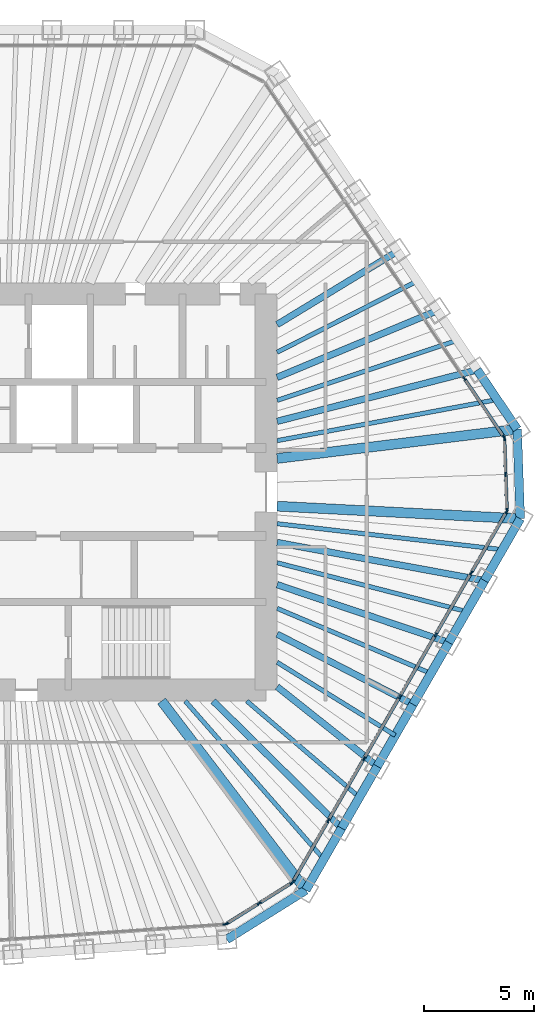
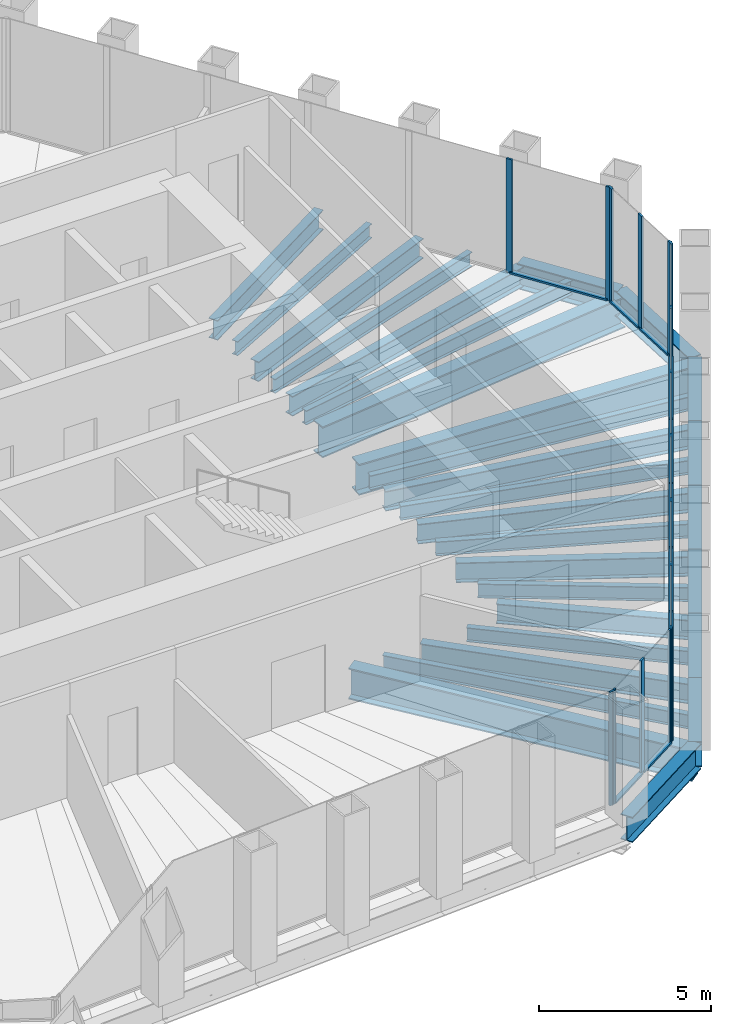
# One storey, part 5 of 14: 29 beams, 27 members, 5 elements without a shape of their own.
"""IFC4 building model written with IfcOpenShell, lengths in metres."""

from ifc_helpers import new_model, si_unit, direction, frame, origin, origin_2d, place, context, subcontext, project, spatial, rectangle, i_section, extrude, material, material_profile, profile_set, type_object, element, aggregate, save


model = new_model("IFC4")

# Units and contexts
model_context = context("Model", 3, precision=1e-05, world=origin(), true_north=direction((0.0, 1.0)))
body_context = subcontext(model_context, "Body", "Model", "MODEL_VIEW")
ifc_project = project(units=[si_unit("LENGTHUNIT", "METRE"), si_unit("AREAUNIT", "SQUARE_METRE"), si_unit("VOLUMEUNIT", "CUBIC_METRE"), si_unit("PLANEANGLEUNIT", "RADIAN"), si_unit("MASSUNIT", "GRAM", prefix="KILO")], contexts=[model_context])

# Site, building, storey
site_placement = place(None, origin())
site = spatial("IfcSite", under=ifc_project, at=site_placement, CompositionType="ELEMENT")
building_placement = place(site_placement, origin())
building = spatial("IfcBuilding", under=site, at=building_placement, Name="Qingtian Harvest Tower", CompositionType="ELEMENT")
storey_placement = place(building_placement, frame((0.0, 0.0, 295.60009765625)))
storey = spatial("IfcBuildingStorey", under=building, at=storey_placement, Name="L65", CompositionType="ELEMENT", Elevation=295.60009765625)

# Beams
ifc_material_1 = material(Name="Steel SM570MC", Category="steel")
ifc_material_profile_1 = material_profile(ifc_material_1, i_section(OverallWidth=0.449951171875, OverallDepth=1.10009765625, WebThickness=0.02197265625, FlangeThickness=0.044921875, at=origin_2d()), Name="H1100x450x22x45")
ifc_profile_set_1 = profile_set([ifc_material_profile_1], Name="Steel SM570MC")
beam_type_1 = type_object("IfcBeamType", Name="Corner floor beam FB8 H1100x450x22x45", PredefinedType="BEAM", material=ifc_profile_set_1)
beam_1_placement = place(storey_placement, frame((23.405517578125, 2.85400390625, -0.72021484375), z_axis=(-0.99264704984, -0.12104476215, 0.0), x_axis=(0.12104476215, -0.99264704984, 0.0)))
element("IfcBeam", 1, at=beam_1_placement, inside=storey, type_object=beam_type_1, Name="Floor beam FB8 NE6", PredefinedType="BEAM", context=body_context, shape_type="SweptSolid", body=[
    extrude(i_section(OverallWidth=0.449951171875, OverallDepth=1.10009765625, WebThickness=0.02197265625, FlangeThickness=0.044921875, at=origin_2d()), origin(), (0.0, 0.0, 1.0), 10.986328125),
])
beam_2_placement = place(storey_placement, frame((23.547607421875, -1.21435546875, -0.72021484375), z_axis=(-0.998672453152, 0.051510497131, 0.0), x_axis=(-0.051510497131, -0.998672453152, 0.0)))
element("IfcBeam", 2, at=beam_2_placement, inside=storey, type_object=beam_type_1, Name="Floor beam FB8 SE0", PredefinedType="BEAM", context=body_context, shape_type="SweptSolid", body=[
    extrude(i_section(OverallWidth=0.449951171875, OverallDepth=1.10009765625, WebThickness=0.02197265625, FlangeThickness=0.044921875, at=origin_2d()), origin(), (0.0, 0.0, 1.0), 11.062255859375),
])
beam_3_placement = place(storey_placement, frame((13.803466796875, -18.091552734375, -0.72021484375), z_axis=(-0.60658352266, 0.795019767073, 0.0), x_axis=(-0.795019767073, -0.60658352266, 0.0)))
element("IfcBeam", 3, at=beam_3_placement, inside=storey, type_object=beam_type_1, Name="Floor beam FB8 SE6", PredefinedType="BEAM", context=body_context, shape_type="SweptSolid", body=[
    extrude(i_section(OverallWidth=0.449951171875, OverallDepth=1.10009765625, WebThickness=0.02197265625, FlangeThickness=0.044921875, at=origin_2d()), origin(), (0.0, 0.0, 1.0), 10.806640625),
])
ifc_material_2 = material(Name="Steel SN490B", Category="steel")
ifc_material_profile_2 = material_profile(ifc_material_2, i_section(OverallWidth=0.300048828125, OverallDepth=0.699951171875, WebThickness=0.012939453125, FlangeThickness=0.02392578125, at=origin_2d()), Name="H700x300x13x24")
ifc_profile_set_2 = profile_set([ifc_material_profile_2], Name="Steel SN490B")
beam_type_2 = type_object("IfcBeamType", Name="Floor beam FB4 H700x300x13x24", PredefinedType="BEAM", material=ifc_profile_set_2)
beam_4_placement = place(storey_placement, frame((17.956787109375, 10.93212890625, -0.52001953125), z_axis=(-0.854163869478, -0.520003926983, 0.0), x_axis=(0.520003926983, -0.854163869478, 0.0)))
element("IfcBeam", 4, at=beam_4_placement, inside=storey, type_object=beam_type_2, Name="Floor beam FB4 NE3", PredefinedType="BEAM", context=body_context, shape_type="SweptSolid", body=[
    extrude(i_section(OverallWidth=0.300048828125, OverallDepth=0.699951171875, WebThickness=0.012939453125, FlangeThickness=0.02392578125, at=origin_2d()), origin(), (0.0, 0.0, 1.0), 6.388427734375),
])
beam_5_placement = place(storey_placement, frame((19.77294921875, 8.2392578125, -0.52001953125), z_axis=(-0.923071422518, -0.38462858569, 0.0), x_axis=(0.38462858569, -0.923071422518, 0.0)))
element("IfcBeam", 5, at=beam_5_placement, inside=storey, type_object=beam_type_2, Name="Floor beam FB4 NE4", PredefinedType="BEAM", context=body_context, shape_type="SweptSolid", body=[
    extrude(i_section(OverallWidth=0.300048828125, OverallDepth=0.699951171875, WebThickness=0.012939453125, FlangeThickness=0.02392578125, at=origin_2d()), origin(), (0.0, 0.0, 1.0), 7.879150390625),
])
beam_6_placement = place(storey_placement, frame((21.58935546875, 5.546630859375, -0.52001953125), z_axis=(-0.968545797703, -0.248835362746, 0.0), x_axis=(0.248835362746, -0.968545797703, 0.0)))
element("IfcBeam", 6, at=beam_6_placement, inside=storey, type_object=beam_type_2, Name="Floor beam FB4 NE5", PredefinedType="BEAM", context=body_context, shape_type="SweptSolid", body=[
    extrude(i_section(OverallWidth=0.300048828125, OverallDepth=0.699951171875, WebThickness=0.012939453125, FlangeThickness=0.02392578125, at=origin_2d()), origin(), (0.0, 0.0, 1.0), 9.384521484375),
])
beam_7_placement = place(storey_placement, frame((21.923583984375, -4.027099609375, -0.52001953125), z_axis=(-0.983545410638, 0.180661078303, 0.0), x_axis=(-0.180661078303, -0.983545410638, 0.0)))
element("IfcBeam", 7, at=beam_7_placement, inside=storey, type_object=beam_type_2, Name="Floor beam FB4 SE1", PredefinedType="BEAM", context=body_context, shape_type="SweptSolid", body=[
    extrude(i_section(OverallWidth=0.300048828125, OverallDepth=0.699951171875, WebThickness=0.012939453125, FlangeThickness=0.02392578125, at=origin_2d()), origin(), (0.0, 0.0, 1.0), 9.581298828125),
])
beam_8_placement = place(storey_placement, frame((20.299560546875, -6.840087890625, -0.52001953125), z_axis=(-0.947645968799, 0.319322905253, 0.0), x_axis=(-0.319322905253, -0.947645968799, 0.0)))
element("IfcBeam", 8, at=beam_8_placement, inside=storey, type_object=beam_type_2, Name="Floor beam FB4 SE2", PredefinedType="BEAM", context=body_context, shape_type="SweptSolid", body=[
    extrude(i_section(OverallWidth=0.300048828125, OverallDepth=0.699951171875, WebThickness=0.012939453125, FlangeThickness=0.02392578125, at=origin_2d()), origin(), (0.0, 0.0, 1.0), 8.23046875),
])
beam_9_placement = place(storey_placement, frame((18.675537109375, -9.65283203125, -0.52001953125), z_axis=(-0.888355479692, 0.459156336884, 0.0), x_axis=(-0.459156336884, -0.888355479692, 0.0)))
element("IfcBeam", 9, at=beam_9_placement, inside=storey, type_object=beam_type_2, Name="Floor beam FB4 SE3", PredefinedType="BEAM", context=body_context, shape_type="SweptSolid", body=[
    extrude(i_section(OverallWidth=0.300048828125, OverallDepth=0.699951171875, WebThickness=0.012939453125, FlangeThickness=0.02392578125, at=origin_2d()), origin(), (0.0, 0.0, 1.0), 6.95166015625),
])
beam_10_placement = place(storey_placement, frame((17.051513671875, -12.4658203125, -0.52001953125), z_axis=(-0.783003151269, 0.622017736968, 0.0), x_axis=(-0.622017736968, -0.783003151269, 0.0)))
element("IfcBeam", 10, at=beam_10_placement, inside=storey, type_object=beam_type_2, Name="Floor beam FB4 SE4", PredefinedType="BEAM", context=body_context, shape_type="SweptSolid", body=[
    extrude(i_section(OverallWidth=0.300048828125, OverallDepth=0.699951171875, WebThickness=0.012939453125, FlangeThickness=0.02392578125, at=origin_2d()), origin(), (0.0, 0.0, 1.0), 5.81298828125),
])
beam_11_placement = place(storey_placement, frame((15.427490234375, -15.278564453125, -0.52001953125), z_axis=(-0.710532187344, 0.703664700513, 0.0), x_axis=(-0.703664700513, -0.710532187344, 0.0)))
element("IfcBeam", 11, at=beam_11_placement, inside=storey, type_object=beam_type_2, Name="Floor beam FB4 SE5", PredefinedType="BEAM", context=body_context, shape_type="SweptSolid", body=[
    extrude(i_section(OverallWidth=0.300048828125, OverallDepth=0.699951171875, WebThickness=0.012939453125, FlangeThickness=0.02392578125, at=origin_2d()), origin(), (0.0, 0.0, 1.0), 8.212158203125),
])
ifc_material_3 = material(Name="Steel SN490B", Category="steel")
ifc_material_profile_3 = material_profile(ifc_material_3, i_section(OverallWidth=0.199951171875, OverallDepth=0.5, WebThickness=0.010009765625, FlangeThickness=0.01611328125, at=origin_2d()), Name="H500x200x10x16")
ifc_profile_set_3 = profile_set([ifc_material_profile_3], Name="Steel SN490B")
beam_type_3 = type_object("IfcBeamType", Name="Floor joist J3 H500x200x10x16", PredefinedType="JOIST", material=ifc_profile_set_3)
beam_12_placement = place(storey_placement, frame((18.864990234375, 9.585693359375, -0.420166015625), z_axis=(-0.891515522375, -0.452990147094, 0.0), x_axis=(0.452990147094, -0.891515522375, 0.0)))
element("IfcBeam", 12, at=beam_12_placement, inside=storey, type_object=beam_type_3, Name="Floor joist J3 NE3", PredefinedType="JOIST", context=body_context, shape_type="SweptSolid", body=[
    extrude(i_section(OverallWidth=0.199951171875, OverallDepth=0.5, WebThickness=0.010009765625, FlangeThickness=0.01611328125, at=origin_2d()), origin(), (0.0, 0.0, 1.0), 7.139404296875),
])
beam_13_placement = place(storey_placement, frame((20.68115234375, 6.89306640625, -0.420166015625), z_axis=(-0.94869179092, -0.316202286267, 0.0), x_axis=(0.316202286267, -0.94869179092, 0.0)))
element("IfcBeam", 13, at=beam_13_placement, inside=storey, type_object=beam_type_3, Name="Floor joist J3 NE4", PredefinedType="JOIST", context=body_context, shape_type="SweptSolid", body=[
    extrude(i_section(OverallWidth=0.199951171875, OverallDepth=0.5, WebThickness=0.010009765625, FlangeThickness=0.01611328125, at=origin_2d()), origin(), (0.0, 0.0, 1.0), 8.62353515625),
])
beam_14_placement = place(storey_placement, frame((22.49755859375, 4.2001953125, -0.420166015625), z_axis=(-0.983015918388, -0.183520310038, 0.0), x_axis=(0.183520310038, -0.983015918388, 0.0)))
element("IfcBeam", 14, at=beam_14_placement, inside=storey, type_object=beam_type_3, Name="Floor joist J3 NE5", PredefinedType="JOIST", context=body_context, shape_type="SweptSolid", body=[
    extrude(i_section(OverallWidth=0.199951171875, OverallDepth=0.5, WebThickness=0.010009765625, FlangeThickness=0.01611328125, at=origin_2d()), origin(), (0.0, 0.0, 1.0), 10.17041015625),
])
beam_15_placement = place(storey_placement, frame((22.735595703125, -2.62060546875, -0.420166015625), z_axis=(-0.993423767351, 0.114495495381, 0.0), x_axis=(-0.114495495381, -0.993423767351, 0.0)))
element("IfcBeam", 15, at=beam_15_placement, inside=storey, type_object=beam_type_3, Name="Floor joist J3 SE0", PredefinedType="JOIST", context=body_context, shape_type="SweptSolid", body=[
    extrude(i_section(OverallWidth=0.199951171875, OverallDepth=0.5, WebThickness=0.010009765625, FlangeThickness=0.01611328125, at=origin_2d()), origin(), (0.0, 0.0, 1.0), 10.303466796875),
])
beam_16_placement = place(storey_placement, frame((21.111572265625, -5.43359375, -0.420166015625), z_axis=(-0.968434631662, 0.249267655738, 0.0), x_axis=(-0.249267655738, -0.968434631662, 0.0)))
element("IfcBeam", 16, at=beam_16_placement, inside=storey, type_object=beam_type_3, Name="Floor joist J3 SE1", PredefinedType="JOIST", context=body_context, shape_type="SweptSolid", body=[
    extrude(i_section(OverallWidth=0.199951171875, OverallDepth=0.5, WebThickness=0.010009765625, FlangeThickness=0.01611328125, at=origin_2d()), origin(), (0.0, 0.0, 1.0), 8.892333984375),
])
beam_17_placement = place(storey_placement, frame((19.487548828125, -8.246337890625, -0.420166015625), z_axis=(-0.920942823677, 0.389697723265, 0.0), x_axis=(-0.389697723265, -0.920942823677, 0.0)))
element("IfcBeam", 17, at=beam_17_placement, inside=storey, type_object=beam_type_3, Name="Floor joist J3 SE2", PredefinedType="JOIST", context=body_context, shape_type="SweptSolid", body=[
    extrude(i_section(OverallWidth=0.199951171875, OverallDepth=0.5, WebThickness=0.010009765625, FlangeThickness=0.01611328125, at=origin_2d()), origin(), (0.0, 0.0, 1.0), 7.58740234375),
])
beam_18_placement = place(storey_placement, frame((17.863525390625, -11.059326171875, -0.420166015625), z_axis=(-0.850245350939, 0.52638659102, 0.0), x_axis=(-0.52638659102, -0.850245350939, 0.0)))
element("IfcBeam", 18, at=beam_18_placement, inside=storey, type_object=beam_type_3, Name="Floor joist J3 SE3", PredefinedType="JOIST", context=body_context, shape_type="SweptSolid", body=[
    extrude(i_section(OverallWidth=0.199951171875, OverallDepth=0.5, WebThickness=0.010009765625, FlangeThickness=0.01611328125, at=origin_2d()), origin(), (0.0, 0.0, 1.0), 6.30810546875),
])
beam_19_placement = place(storey_placement, frame((16.239501953125, -13.8720703125, -0.420166015625), z_axis=(-0.760351288112, 0.649512061987, 0.0), x_axis=(-0.649512061987, -0.760351288112, 0.0)))
element("IfcBeam", 19, at=beam_19_placement, inside=storey, type_object=beam_type_3, Name="Floor joist J3 SE4", PredefinedType="JOIST", context=body_context, shape_type="SweptSolid", body=[
    extrude(i_section(OverallWidth=0.199951171875, OverallDepth=0.5, WebThickness=0.010009765625, FlangeThickness=0.01611328125, at=origin_2d()), origin(), (0.0, 0.0, 1.0), 6.731201171875),
])
beam_20_placement = place(storey_placement, frame((14.615478515625, -16.68505859375, -0.420166015625), z_axis=(-0.658906232771, 0.752225083612, 0.0), x_axis=(-0.752225083612, -0.658906232771, 0.0)))
element("IfcBeam", 20, at=beam_20_placement, inside=storey, type_object=beam_type_3, Name="Floor joist J3 SE5", PredefinedType="JOIST", context=body_context, shape_type="SweptSolid", body=[
    extrude(i_section(OverallWidth=0.199951171875, OverallDepth=0.5, WebThickness=0.010009765625, FlangeThickness=0.01611328125, at=origin_2d()), origin(), (0.0, 0.0, 1.0), 9.5517578125),
])

# Curtain wall, members
ifc_material_4 = material(Name="Bronze-anodised aluminium curtain wall", Category="aluminium")
curtain_wall_type = type_object("IfcCurtainWallType", Name="Curtain wall CW5 upper office", PredefinedType="USERDEFINED", material=ifc_material_4)
curtain_wall_1_placement = place(storey_placement, origin())
curtain_wall_1 = element("IfcCurtainWall", 21, at=curtain_wall_1_placement, inside=storey, type_object=curtain_wall_type, Name="Curtain wall CW5 L65 NE0-5", ObjectType="RECESSED CURTAIN WALL", PredefinedType="USERDEFINED")
ifc_material_5 = material(Name="Bronze-anodised aluminium mullion", Category="aluminium")
ifc_material_profile_4 = material_profile(ifc_material_5, rectangle(XDim=0.06494140625, YDim=0.199951171875, at=origin_2d()), Name="AL 65x200")
ifc_profile_set_4 = profile_set([ifc_material_profile_4], Name="Bronze-anodised aluminium mullion")
member_type_1 = type_object("IfcMemberType", Name="Mullion CWM 65x200", PredefinedType="MULLION", material=ifc_profile_set_4)
member_1_placement = place(storey_placement, frame((21.009033203125, 5.1552734375, 0.0), z_axis=(0.0, 0.0, 1.0), x_axis=(0.829037572555, 0.559192903471, 0.0)))
member_1 = element("IfcMember", 22, at=member_1_placement, type_object=member_type_1, Name="CW5 mullion 6", PredefinedType="MULLION", context=body_context, shape_type="SweptSolid", body=[
    extrude(rectangle(XDim=0.06494140625, YDim=0.199951171875, at=origin_2d()), origin(), (0.0, 0.0, 1.0), 4.02978515625),
])
member_2_placement = place(storey_placement, frame((22.80712890625, 2.489501953125, 0.0), z_axis=(0.0, 0.0, 1.0), x_axis=(0.829037572555, 0.559192903471, 0.0)))
member_2 = element("IfcMember", 23, at=member_2_placement, type_object=member_type_1, Name="CW5 mullion 7", PredefinedType="MULLION", context=body_context, shape_type="SweptSolid", body=[
    extrude(rectangle(XDim=0.06494140625, YDim=0.199951171875, at=origin_2d()), origin(), (0.0, 0.0, 1.0), 4.02978515625),
])

curtain_wall_2_placement = place(storey_placement, origin())
curtain_wall_2 = element("IfcCurtainWall", 24, at=curtain_wall_2_placement, inside=storey, type_object=curtain_wall_type, Name="Curtain wall CW5 L65 NEC", ObjectType="RECESSED CURTAIN WALL", PredefinedType="USERDEFINED")
member_3_placement = place(storey_placement, frame((22.826416015625, 2.429931640625, 0.0), z_axis=(0.0, 0.0, 1.0), x_axis=(0.999390827019, 0.034899496703, 0.0)))
member_3 = element("IfcMember", 25, at=member_3_placement, type_object=member_type_1, Name="CW5 mullion 1", PredefinedType="MULLION", context=body_context, shape_type="SweptSolid", body=[
    extrude(rectangle(XDim=0.06494140625, YDim=0.199951171875, at=origin_2d()), origin(), (0.0, 0.0, 1.0), 4.02978515625),
])
member_4_placement = place(storey_placement, frame((22.88330078125, 0.799072265625, 0.0), z_axis=(0.0, 0.0, 1.0), x_axis=(0.999390827019, 0.034899496703, 0.0)))
member_4 = element("IfcMember", 26, at=member_4_placement, type_object=member_type_1, Name="CW5 mullion 2", PredefinedType="MULLION", context=body_context, shape_type="SweptSolid", body=[
    extrude(rectangle(XDim=0.06494140625, YDim=0.199951171875, at=origin_2d()), origin(), (0.0, 0.0, 1.0), 4.02978515625),
])
member_5_placement = place(storey_placement, frame((22.9404296875, -0.831787109375, 0.0), z_axis=(0.0, 0.0, 1.0), x_axis=(0.999390827019, 0.034899496703, 0.0)))
member_5 = element("IfcMember", 27, at=member_5_placement, type_object=member_type_1, Name="CW5 mullion 3", PredefinedType="MULLION", context=body_context, shape_type="SweptSolid", body=[
    extrude(rectangle(XDim=0.06494140625, YDim=0.199951171875, at=origin_2d()), origin(), (0.0, 0.0, 1.0), 4.02978515625),
])

curtain_wall_3_placement = place(storey_placement, origin())
curtain_wall_3 = element("IfcCurtainWall", 28, at=curtain_wall_3_placement, inside=storey, type_object=curtain_wall_type, Name="Curtain wall CW5 L65 SE0-5", ObjectType="RECESSED CURTAIN WALL", PredefinedType="USERDEFINED")
member_6_placement = place(storey_placement, frame((22.92529296875, -0.892333984375, 0.0), z_axis=(0.0, 0.0, 1.0), x_axis=(0.866025403784, -0.5, 0.0)))
member_6 = element("IfcMember", 29, at=member_6_placement, type_object=member_type_1, Name="CW5 mullion 1", PredefinedType="MULLION", context=body_context, shape_type="SweptSolid", body=[
    extrude(rectangle(XDim=0.06494140625, YDim=0.199951171875, at=origin_2d()), origin(), (0.0, 0.0, 1.0), 4.02978515625),
])
member_7_placement = place(storey_placement, frame((21.3173828125, -3.67724609375, 0.0), z_axis=(0.0, 0.0, 1.0), x_axis=(0.866025403784, -0.5, 0.0)))
member_7 = element("IfcMember", 30, at=member_7_placement, type_object=member_type_1, Name="CW5 mullion 2", PredefinedType="MULLION", context=body_context, shape_type="SweptSolid", body=[
    extrude(rectangle(XDim=0.06494140625, YDim=0.199951171875, at=origin_2d()), origin(), (0.0, 0.0, 1.0), 4.02978515625),
])
member_8_placement = place(storey_placement, frame((19.693359375, -6.489990234375, 0.0), z_axis=(0.0, 0.0, 1.0), x_axis=(0.866025403784, -0.5, 0.0)))
member_8 = element("IfcMember", 31, at=member_8_placement, type_object=member_type_1, Name="CW5 mullion 3", PredefinedType="MULLION", context=body_context, shape_type="SweptSolid", body=[
    extrude(rectangle(XDim=0.06494140625, YDim=0.199951171875, at=origin_2d()), origin(), (0.0, 0.0, 1.0), 4.02978515625),
])
member_9_placement = place(storey_placement, frame((18.0693359375, -9.302978515625, 0.0), z_axis=(0.0, 0.0, 1.0), x_axis=(0.866025403784, -0.5, 0.0)))
member_9 = element("IfcMember", 32, at=member_9_placement, type_object=member_type_1, Name="CW5 mullion 4", PredefinedType="MULLION", context=body_context, shape_type="SweptSolid", body=[
    extrude(rectangle(XDim=0.06494140625, YDim=0.199951171875, at=origin_2d()), origin(), (0.0, 0.0, 1.0), 4.02978515625),
])
member_10_placement = place(storey_placement, frame((16.4453125, -12.11572265625, 0.0), z_axis=(0.0, 0.0, 1.0), x_axis=(0.866025403784, -0.5, 0.0)))
member_10 = element("IfcMember", 33, at=member_10_placement, type_object=member_type_1, Name="CW5 mullion 5", PredefinedType="MULLION", context=body_context, shape_type="SweptSolid", body=[
    extrude(rectangle(XDim=0.06494140625, YDim=0.199951171875, at=origin_2d()), origin(), (0.0, 0.0, 1.0), 4.02978515625),
])
member_11_placement = place(storey_placement, frame((14.8212890625, -14.9287109375, 0.0), z_axis=(0.0, 0.0, 1.0), x_axis=(0.866025403784, -0.5, 0.0)))
member_11 = element("IfcMember", 34, at=member_11_placement, type_object=member_type_1, Name="CW5 mullion 6", PredefinedType="MULLION", context=body_context, shape_type="SweptSolid", body=[
    extrude(rectangle(XDim=0.06494140625, YDim=0.199951171875, at=origin_2d()), origin(), (0.0, 0.0, 1.0), 4.02978515625),
])
member_12_placement = place(storey_placement, frame((13.213623046875, -17.71337890625, 0.0), z_axis=(0.0, 0.0, 1.0), x_axis=(0.866025403784, -0.5, 0.0)))
member_12 = element("IfcMember", 35, at=member_12_placement, type_object=member_type_1, Name="CW5 mullion 7", PredefinedType="MULLION", context=body_context, shape_type="SweptSolid", body=[
    extrude(rectangle(XDim=0.06494140625, YDim=0.199951171875, at=origin_2d()), origin(), (0.0, 0.0, 1.0), 4.02978515625),
])

curtain_wall_4_placement = place(storey_placement, origin())
curtain_wall_4 = element("IfcCurtainWall", 36, at=curtain_wall_4_placement, inside=storey, type_object=curtain_wall_type, Name="Curtain wall CW5 L65 SEC", ObjectType="RECESSED CURTAIN WALL", PredefinedType="USERDEFINED")
member_13_placement = place(storey_placement, frame((13.169921875, -17.7587890625, 0.0), z_axis=(0.0, 0.0, 1.0), x_axis=(0.529919264233, -0.848048096156, 0.0)))
member_13 = element("IfcMember", 37, at=member_13_placement, type_object=member_type_1, Name="CW5 mullion 1", PredefinedType="MULLION", context=body_context, shape_type="SweptSolid", body=[
    extrude(rectangle(XDim=0.06494140625, YDim=0.199951171875, at=origin_2d()), origin(), (0.0, 0.0, 1.0), 4.02978515625),
])
member_14_placement = place(storey_placement, frame((11.678955078125, -18.690185546875, 0.0), z_axis=(0.0, 0.0, 1.0), x_axis=(0.529919264233, -0.848048096156, 0.0)))
member_14 = element("IfcMember", 38, at=member_14_placement, type_object=member_type_1, Name="CW5 mullion 2", PredefinedType="MULLION", context=body_context, shape_type="SweptSolid", body=[
    extrude(rectangle(XDim=0.06494140625, YDim=0.199951171875, at=origin_2d()), origin(), (0.0, 0.0, 1.0), 4.02978515625),
])
member_15_placement = place(storey_placement, frame((10.188232421875, -19.621826171875, 0.0), z_axis=(0.0, 0.0, 1.0), x_axis=(0.529919264233, -0.848048096156, 0.0)))
member_15 = element("IfcMember", 39, at=member_15_placement, type_object=member_type_1, Name="CW5 mullion 3", PredefinedType="MULLION", context=body_context, shape_type="SweptSolid", body=[
    extrude(rectangle(XDim=0.06494140625, YDim=0.199951171875, at=origin_2d()), origin(), (0.0, 0.0, 1.0), 4.02978515625),
])

# Curtain wall, member
curtain_wall_5_placement = place(storey_placement, origin())
curtain_wall_5 = element("IfcCurtainWall", 40, at=curtain_wall_5_placement, inside=storey, type_object=curtain_wall_type, Name="Curtain wall CW5 L65 S0-5", ObjectType="RECESSED CURTAIN WALL", PredefinedType="USERDEFINED")
member_16_placement = place(storey_placement, frame((10.128173828125, -19.641357421875, 0.0), z_axis=(0.0, 0.0, 1.0), x_axis=(0.069756473744, -0.99756405026, 0.0)))
member_16 = element("IfcMember", 41, at=member_16_placement, type_object=member_type_1, Name="CW5 mullion 1", PredefinedType="MULLION", context=body_context, shape_type="SweptSolid", body=[
    extrude(rectangle(XDim=0.06494140625, YDim=0.199951171875, at=origin_2d()), origin(), (0.0, 0.0, 1.0), 4.02978515625),
])
aggregate(curtain_wall_5, [member_16])

# Beams
ifc_material_6 = material(Name="Steel SN490B", Category="steel")
ifc_material_profile_5 = material_profile(ifc_material_6, i_section(OverallWidth=0.39990234375, OverallDepth=0.89990234375, WebThickness=0.01904296875, FlangeThickness=0.035888671875, at=origin_2d()), Name="H900x400x19x36")
ifc_profile_set_5 = profile_set([ifc_material_profile_5], Name="Steel SN490B")
beam_type_4 = type_object("IfcBeamType", Name="Spandrel beam SB4 H900x400x19x36", PredefinedType="SPANDREL", material=ifc_profile_set_5)
beam_21_placement = place(storey_placement, frame((21.58935546875, 5.546630859375, -0.4501953125), z_axis=(0.559184924833, -0.829042954158, 0.0), x_axis=(0.829042954158, 0.559184924833, 0.0)))
element("IfcBeam", 42, at=beam_21_placement, inside=storey, type_object=beam_type_4, Name="Spandrel SB4 NE5", PredefinedType="SPANDREL", context=body_context, shape_type="SweptSolid", body=[
    extrude(i_section(OverallWidth=0.39990234375, OverallDepth=0.89990234375, WebThickness=0.01904296875, FlangeThickness=0.035888671875, at=origin_2d()), origin(), (0.0, 0.0, 1.0), 3.247802734375),
])
beam_22_placement = place(storey_placement, frame((23.405517578125, 2.85400390625, -0.4501953125), z_axis=(0.034904306503, -0.999390659046, 0.0), x_axis=(0.999390659046, 0.034904306503, 0.0)))
element("IfcBeam", 43, at=beam_22_placement, inside=storey, type_object=beam_type_4, Name="Spandrel SB4 NEC", PredefinedType="SPANDREL", context=body_context, shape_type="SweptSolid", body=[
    extrude(i_section(OverallWidth=0.39990234375, OverallDepth=0.89990234375, WebThickness=0.01904296875, FlangeThickness=0.035888671875, at=origin_2d()), origin(), (0.0, 0.0, 1.0), 4.07080078125),
])
beam_23_placement = place(storey_placement, frame((23.547607421875, -1.21435546875, -0.4501953125), z_axis=(-0.500019593356, -0.866014091259, 0.0), x_axis=(0.866014091259, -0.500019593356, 0.0)))
element("IfcBeam", 44, at=beam_23_placement, inside=storey, type_object=beam_type_4, Name="Spandrel SB4 SE0", PredefinedType="SPANDREL", context=body_context, shape_type="SweptSolid", body=[
    extrude(i_section(OverallWidth=0.39990234375, OverallDepth=0.89990234375, WebThickness=0.01904296875, FlangeThickness=0.035888671875, at=origin_2d()), origin(), (0.0, 0.0, 1.0), 3.247802734375),
])
beam_24_placement = place(storey_placement, frame((21.923583984375, -4.027099609375, -0.4501953125), z_axis=(-0.499987045439, -0.866032882975, 0.0), x_axis=(0.866032882975, -0.499987045439, 0.0)))
element("IfcBeam", 45, at=beam_24_placement, inside=storey, type_object=beam_type_4, Name="Spandrel SB4 SE1", PredefinedType="SPANDREL", context=body_context, shape_type="SweptSolid", body=[
    extrude(i_section(OverallWidth=0.39990234375, OverallDepth=0.89990234375, WebThickness=0.01904296875, FlangeThickness=0.035888671875, at=origin_2d()), origin(), (0.0, 0.0, 1.0), 3.248046875),
])
beam_25_placement = place(storey_placement, frame((20.299560546875, -6.840087890625, -0.4501953125), z_axis=(-0.500019593356, -0.866014091259, 0.0), x_axis=(0.866014091259, -0.500019593356, 0.0)))
element("IfcBeam", 46, at=beam_25_placement, inside=storey, type_object=beam_type_4, Name="Spandrel SB4 SE2", PredefinedType="SPANDREL", context=body_context, shape_type="SweptSolid", body=[
    extrude(i_section(OverallWidth=0.39990234375, OverallDepth=0.89990234375, WebThickness=0.01904296875, FlangeThickness=0.035888671875, at=origin_2d()), origin(), (0.0, 0.0, 1.0), 3.247802734375),
])
beam_26_placement = place(storey_placement, frame((18.675537109375, -9.65283203125, -0.4501953125), z_axis=(-0.499987045439, -0.866032882975, 0.0), x_axis=(0.866032882975, -0.499987045439, 0.0)))
element("IfcBeam", 47, at=beam_26_placement, inside=storey, type_object=beam_type_4, Name="Spandrel SB4 SE3", PredefinedType="SPANDREL", context=body_context, shape_type="SweptSolid", body=[
    extrude(i_section(OverallWidth=0.39990234375, OverallDepth=0.89990234375, WebThickness=0.01904296875, FlangeThickness=0.035888671875, at=origin_2d()), origin(), (0.0, 0.0, 1.0), 3.248046875),
])
beam_27_placement = place(storey_placement, frame((17.051513671875, -12.4658203125, -0.4501953125), z_axis=(-0.500019593356, -0.866014091259, 0.0), x_axis=(0.866014091259, -0.500019593356, 0.0)))
element("IfcBeam", 48, at=beam_27_placement, inside=storey, type_object=beam_type_4, Name="Spandrel SB4 SE4", PredefinedType="SPANDREL", context=body_context, shape_type="SweptSolid", body=[
    extrude(i_section(OverallWidth=0.39990234375, OverallDepth=0.89990234375, WebThickness=0.01904296875, FlangeThickness=0.035888671875, at=origin_2d()), origin(), (0.0, 0.0, 1.0), 3.247802734375),
])
beam_28_placement = place(storey_placement, frame((15.427490234375, -15.278564453125, -0.4501953125), z_axis=(-0.499987045439, -0.866032882975, 0.0), x_axis=(0.866032882975, -0.499987045439, 0.0)))
element("IfcBeam", 49, at=beam_28_placement, inside=storey, type_object=beam_type_4, Name="Spandrel SB4 SE5", PredefinedType="SPANDREL", context=body_context, shape_type="SweptSolid", body=[
    extrude(i_section(OverallWidth=0.39990234375, OverallDepth=0.89990234375, WebThickness=0.01904296875, FlangeThickness=0.035888671875, at=origin_2d()), origin(), (0.0, 0.0, 1.0), 3.248046875),
])
beam_29_placement = place(storey_placement, frame((13.803466796875, -18.091552734375, -0.4501953125), z_axis=(-0.848040374245, -0.529931621675, 0.0), x_axis=(0.529931621675, -0.848040374245, 0.0)))
element("IfcBeam", 50, at=beam_29_placement, inside=storey, type_object=beam_type_4, Name="Spandrel SB4 SEC", PredefinedType="SPANDREL", context=body_context, shape_type="SweptSolid", body=[
    extrude(i_section(OverallWidth=0.39990234375, OverallDepth=0.89990234375, WebThickness=0.01904296875, FlangeThickness=0.035888671875, at=origin_2d()), origin(), (0.0, 0.0, 1.0), 4.238037109375),
])

# Member
ifc_material_7 = material(Name="Bronze-anodised aluminium transom", Category="aluminium")
ifc_material_profile_6 = material_profile(ifc_material_7, rectangle(XDim=0.14990234375, YDim=0.06494140625, at=origin_2d()), Name="AL 65x150")
ifc_profile_set_6 = profile_set([ifc_material_profile_6], Name="Bronze-anodised aluminium transom")
member_type_2 = type_object("IfcMemberType", Name="Transom CWT 65x150", PredefinedType="USERDEFINED", material=ifc_profile_set_6)
member_17_placement = place(storey_placement, frame((21.027099609375, 5.128173828125, 0.032470703125), z_axis=(0.559198649732, -0.829033696624, 0.0), x_axis=(0.829033696624, 0.559198649732, 0.0)))
member_17 = element("IfcMember", 51, at=member_17_placement, type_object=member_type_2, Name="CW5 transom 6.1", ObjectType="TRANSOM", PredefinedType="USERDEFINED", context=body_context, shape_type="SweptSolid", body=[
    extrude(rectangle(XDim=0.14990234375, YDim=0.06494140625, at=origin_2d()), origin(), (0.0, 0.0, 1.0), 3.150390625),
])

aggregate(curtain_wall_1, [member_1, member_2, member_17])

member_18_placement = place(storey_placement, frame((22.82763671875, 2.3974609375, 0.032470703125), z_axis=(0.034902326647, -0.999390728191, 0.0), x_axis=(0.999390728191, 0.034902326647, 0.0)))
member_18 = element("IfcMember", 52, at=member_18_placement, type_object=member_type_2, Name="CW5 transom 1.1", ObjectType="TRANSOM", PredefinedType="USERDEFINED", context=body_context, shape_type="SweptSolid", body=[
    extrude(rectangle(XDim=0.14990234375, YDim=0.06494140625, at=origin_2d()), origin(), (0.0, 0.0, 1.0), 1.56689453125),
])

member_19_placement = place(storey_placement, frame((22.884521484375, 0.7666015625, 0.032470703125), z_axis=(0.034902326647, -0.999390728191, 0.0), x_axis=(0.999390728191, 0.034902326647, 0.0)))
member_19 = element("IfcMember", 53, at=member_19_placement, type_object=member_type_2, Name="CW5 transom 2.1", ObjectType="TRANSOM", PredefinedType="USERDEFINED", context=body_context, shape_type="SweptSolid", body=[
    extrude(rectangle(XDim=0.14990234375, YDim=0.06494140625, at=origin_2d()), origin(), (0.0, 0.0, 1.0), 1.56689453125),
])

aggregate(curtain_wall_2, [member_3, member_4, member_5, member_18, member_19])

member_20_placement = place(storey_placement, frame((22.908935546875, -0.920654296875, 0.032470703125), z_axis=(-0.50000643655, -0.866021687608, 0.0), x_axis=(0.866021687608, -0.50000643655, 0.0)))
member_20 = element("IfcMember", 54, at=member_20_placement, type_object=member_type_2, Name="CW5 transom 1.1", ObjectType="TRANSOM", PredefinedType="USERDEFINED", context=body_context, shape_type="SweptSolid", body=[
    extrude(rectangle(XDim=0.14990234375, YDim=0.06494140625, at=origin_2d()), origin(), (0.0, 0.0, 1.0), 3.150390625),
])

member_21_placement = place(storey_placement, frame((21.30126953125, -3.705322265625, 0.032470703125), z_axis=(-0.5000079448, -0.866020816803, 0.0), x_axis=(0.866020816803, -0.5000079448, 0.0)))
member_21 = element("IfcMember", 55, at=member_21_placement, type_object=member_type_2, Name="CW5 transom 2.1", ObjectType="TRANSOM", PredefinedType="USERDEFINED", context=body_context, shape_type="SweptSolid", body=[
    extrude(rectangle(XDim=0.14990234375, YDim=0.06494140625, at=origin_2d()), origin(), (0.0, 0.0, 1.0), 3.18310546875),
])

member_22_placement = place(storey_placement, frame((19.67724609375, -6.51806640625, 0.032470703125), z_axis=(-0.5000079448, -0.866020816803, 0.0), x_axis=(0.866020816803, -0.5000079448, 0.0)))
member_22 = element("IfcMember", 56, at=member_22_placement, type_object=member_type_2, Name="CW5 transom 3.1", ObjectType="TRANSOM", PredefinedType="USERDEFINED", context=body_context, shape_type="SweptSolid", body=[
    extrude(rectangle(XDim=0.14990234375, YDim=0.06494140625, at=origin_2d()), origin(), (0.0, 0.0, 1.0), 3.18310546875),
])

member_23_placement = place(storey_placement, frame((18.05322265625, -9.3310546875, 0.032470703125), z_axis=(-0.5000079448, -0.866020816803, 0.0), x_axis=(0.866020816803, -0.5000079448, 0.0)))
member_23 = element("IfcMember", 57, at=member_23_placement, type_object=member_type_2, Name="CW5 transom 4.1", ObjectType="TRANSOM", PredefinedType="USERDEFINED", context=body_context, shape_type="SweptSolid", body=[
    extrude(rectangle(XDim=0.14990234375, YDim=0.06494140625, at=origin_2d()), origin(), (0.0, 0.0, 1.0), 3.18310546875),
])

member_24_placement = place(storey_placement, frame((16.42919921875, -12.143798828125, 0.032470703125), z_axis=(-0.5000079448, -0.866020816803, 0.0), x_axis=(0.866020816803, -0.5000079448, 0.0)))
member_24 = element("IfcMember", 58, at=member_24_placement, type_object=member_type_2, Name="CW5 transom 5.1", ObjectType="TRANSOM", PredefinedType="USERDEFINED", context=body_context, shape_type="SweptSolid", body=[
    extrude(rectangle(XDim=0.14990234375, YDim=0.06494140625, at=origin_2d()), origin(), (0.0, 0.0, 1.0), 3.18310546875),
])

member_25_placement = place(storey_placement, frame((14.80517578125, -14.956787109375, 0.032470703125), z_axis=(-0.499972881236, -0.866041060244, 0.0), x_axis=(0.866041060244, -0.499972881236, 0.0)))
member_25 = element("IfcMember", 59, at=member_25_placement, type_object=member_type_2, Name="CW5 transom 6.1", ObjectType="TRANSOM", PredefinedType="USERDEFINED", context=body_context, shape_type="SweptSolid", body=[
    extrude(rectangle(XDim=0.14990234375, YDim=0.06494140625, at=origin_2d()), origin(), (0.0, 0.0, 1.0), 3.150634765625),
])

aggregate(curtain_wall_3, [member_6, member_7, member_8, member_9, member_10, member_11, member_12, member_20, member_21, member_22, member_23, member_24, member_25])

member_26_placement = place(storey_placement, frame((13.142333984375, -17.77587890625, 0.032470703125), z_axis=(-0.84803880708, -0.529934129573, 0.0), x_axis=(0.529934129573, -0.84803880708, 0.0)))
member_26 = element("IfcMember", 60, at=member_26_placement, type_object=member_type_2, Name="CW5 transom 1.1", ObjectType="TRANSOM", PredefinedType="USERDEFINED", context=body_context, shape_type="SweptSolid", body=[
    extrude(rectangle(XDim=0.14990234375, YDim=0.06494140625, at=origin_2d()), origin(), (0.0, 0.0, 1.0), 1.693115234375),
])

member_27_placement = place(storey_placement, frame((11.6513671875, -18.70751953125, 0.032470703125), z_axis=(-0.847998304005, -0.529998940003, 0.0), x_axis=(0.529998940003, -0.847998304005, 0.0)))
member_27 = element("IfcMember", 61, at=member_27_placement, type_object=member_type_2, Name="CW5 transom 2.1", ObjectType="TRANSOM", PredefinedType="USERDEFINED", context=body_context, shape_type="SweptSolid", body=[
    extrude(rectangle(XDim=0.14990234375, YDim=0.06494140625, at=origin_2d()), origin(), (0.0, 0.0, 1.0), 1.69287109375),
])

aggregate(curtain_wall_4, [member_13, member_14, member_15, member_26, member_27])

save(model, "model.ifc")
